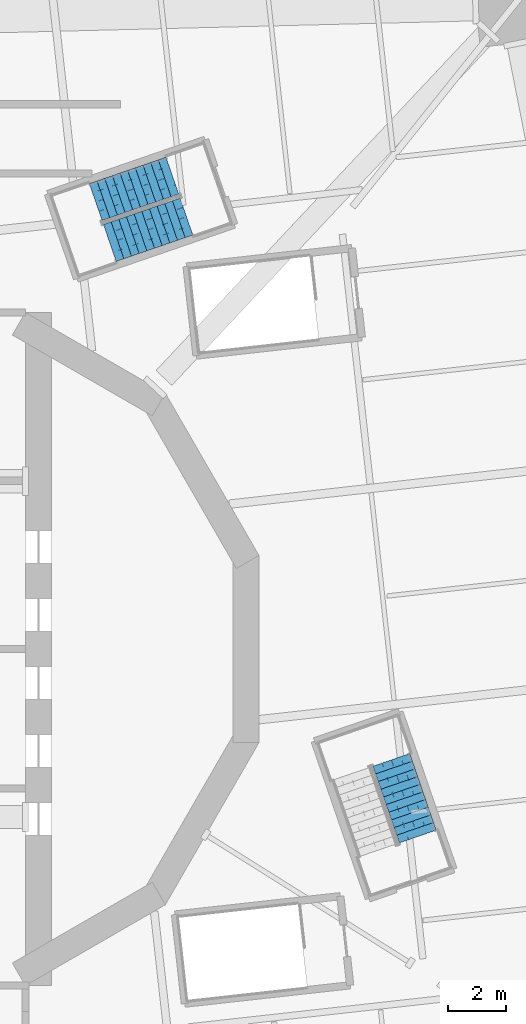
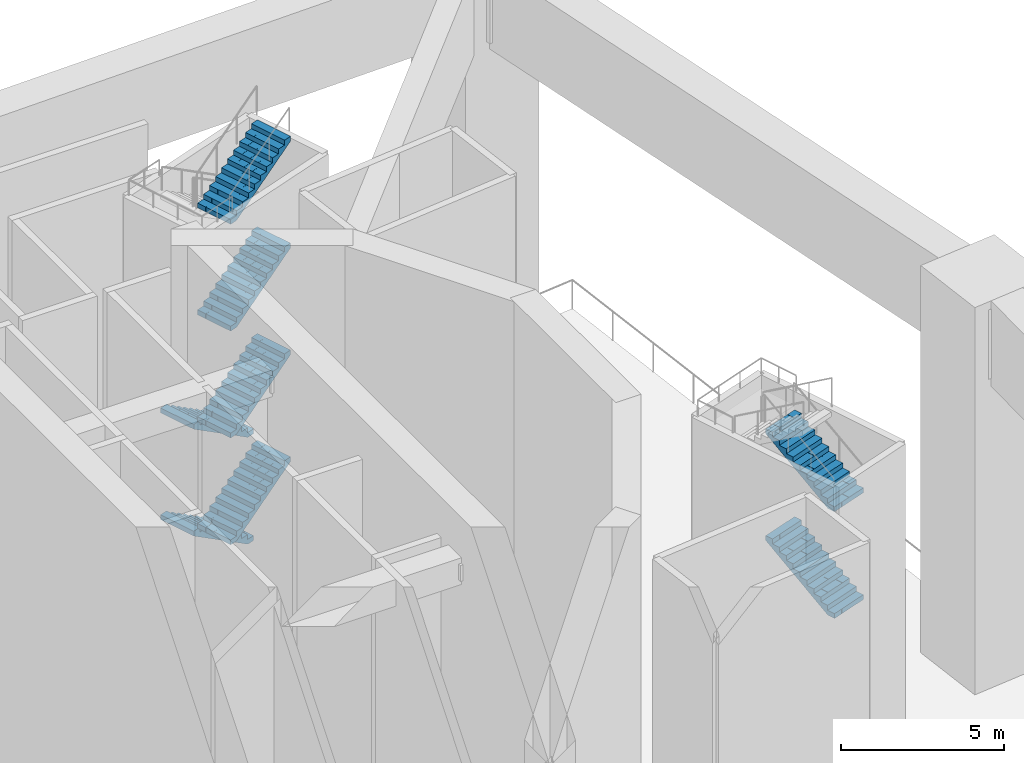
# One storey, part 7 of 13: 8 stair flights, 2 elements without a shape of their own.
"""IFC4 building model written with IfcOpenShell, lengths in metres."""

from ifc_helpers import new_model, si_unit, direction, frame, origin, place, context, subcontext, project, spatial, polyline, outline, extrude, material, type_object, element, aggregate, save


model = new_model("IFC4")

# Units and contexts
model_context = context("Model", 3, precision=1e-05, world=origin(), true_north=direction((0.0, 1.0)))
body_context = subcontext(model_context, "Body", "Model", "MODEL_VIEW")
ifc_project = project(units=[si_unit("LENGTHUNIT", "METRE"), si_unit("AREAUNIT", "SQUARE_METRE"), si_unit("VOLUMEUNIT", "CUBIC_METRE"), si_unit("PLANEANGLEUNIT", "RADIAN"), si_unit("MASSUNIT", "GRAM", prefix="KILO")], contexts=[model_context])

# Site, building, storey
site_placement = place(None, origin())
site = spatial("IfcSite", under=ifc_project, at=site_placement, CompositionType="ELEMENT")
building_placement = place(site_placement, origin())
building = spatial("IfcBuilding", under=site, at=building_placement, Name="Cantera Rosa Tower", CompositionType="ELEMENT")
storey_placement = place(building_placement, frame((0.0, 0.0, 84.300048828125)))
storey = spatial("IfcBuildingStorey", under=building, at=storey_placement, Name="L18", CompositionType="ELEMENT", Elevation=84.300048828125)

# Stair, stair flights
ifc_material_1 = material(Name="Concrete C35/45", Category="concrete")
stair_type = type_object("IfcStairType", Name="EXIT STAIR 1350 DOGLEG", PredefinedType="HALF_TURN_STAIR", material=ifc_material_1)
stair_1_placement = place(storey_placement, origin())
stair_1 = element("IfcStair", 1, at=stair_1_placement, inside=storey, type_object=stair_type, Name="L18 ST-21", PredefinedType="HALF_TURN_STAIR")
ifc_material_2 = material(Name="Concrete C35/45", Category="concrete")
stair_flight_type = type_object("IfcStairFlightType", Name="STAIR FLIGHT 1350 R88x182", PredefinedType="STRAIGHT", material=ifc_material_2)
stair_flight_1_placement = place(storey_placement, frame((9.07958984375, 16.364990234375, 0.0), z_axis=(0.0, 0.0, 1.0), x_axis=(-0.945518575599, -0.325568154457, 0.0)))
stair_flight_1 = element("IfcStairFlight", 2, at=stair_flight_1_placement, type_object=stair_flight_type, Name="ST-21 flight 1", NumberOfRisers=11, NumberOfTreads=10, PredefinedType="STRAIGHT", RiserHeight=0.181818182, TreadLength=0.28, context=body_context, shape_type="SweptSolid", body=[
    extrude(outline(polyline([(0.0, 0.0), (0.0, 0.181884765625), (0.280029296875, 0.181884765625), (0.280029296875, 0.363525390625), (0.56005859375, 0.363525390625), (0.56005859375, 0.54541015625), (0.840087890625, 0.54541015625), (0.840087890625, 0.727294921875), (1.1201171875, 0.727294921875), (1.1201171875, 0.9091796875), (1.39990234375, 0.9091796875), (1.39990234375, 1.0908203125), (1.679931640625, 1.0908203125), (1.679931640625, 1.272705078125), (1.9599609375, 1.272705078125), (1.9599609375, 1.45458984375), (2.239990234375, 1.45458984375), (2.239990234375, 1.636474609375), (2.52001953125, 1.636474609375), (2.52001953125, 1.818115234375), (2.800048828125, 1.818115234375), (2.800048828125, 2.0), (2.800048828125, 1.639404296875), (0.275146484375, 0.0), (0.0, 0.0)])), frame((0.0, 0.675048828125, 0.0), z_axis=(0.0, -1.0, 0.0), x_axis=(1.0, 0.0, 0.0)), (0.0, 0.0, 1.0), 0.3359375),
    extrude(outline(polyline([(0.0, 0.0), (0.0, 0.181884765625), (0.280029296875, 0.181884765625), (0.280029296875, 0.363525390625), (0.56005859375, 0.363525390625), (0.56005859375, 0.54541015625), (0.840087890625, 0.54541015625), (0.840087890625, 0.727294921875), (1.1201171875, 0.727294921875), (1.1201171875, 0.9091796875), (1.39990234375, 0.9091796875), (1.39990234375, 1.0908203125), (1.679931640625, 1.0908203125), (1.679931640625, 1.272705078125), (1.9599609375, 1.272705078125), (1.9599609375, 1.45458984375), (2.239990234375, 1.45458984375), (2.239990234375, 1.636474609375), (2.52001953125, 1.636474609375), (2.52001953125, 1.818115234375), (2.800048828125, 1.818115234375), (2.800048828125, 2.0), (2.800048828125, 1.639404296875), (0.275146484375, 0.0), (0.0, 0.0)])), frame((0.0, 0.337158203125, 0.0), z_axis=(0.0, -1.0, 0.0), x_axis=(1.0, 0.0, 0.0)), (0.0, 0.0, 1.0), 0.3359375),
    extrude(outline(polyline([(0.0, 0.0), (0.0, 0.181884765625), (0.280029296875, 0.181884765625), (0.280029296875, 0.363525390625), (0.56005859375, 0.363525390625), (0.56005859375, 0.54541015625), (0.840087890625, 0.54541015625), (0.840087890625, 0.727294921875), (1.1201171875, 0.727294921875), (1.1201171875, 0.9091796875), (1.39990234375, 0.9091796875), (1.39990234375, 1.0908203125), (1.679931640625, 1.0908203125), (1.679931640625, 1.272705078125), (1.9599609375, 1.272705078125), (1.9599609375, 1.45458984375), (2.239990234375, 1.45458984375), (2.239990234375, 1.636474609375), (2.52001953125, 1.636474609375), (2.52001953125, 1.818115234375), (2.800048828125, 1.818115234375), (2.800048828125, 2.0), (2.800048828125, 1.639404296875), (0.275146484375, 0.0), (0.0, 0.0)])), frame((0.0, -0.000732421875, 0.0), z_axis=(0.0, -1.0, 0.0), x_axis=(1.0, 0.0, 0.0)), (0.0, 0.0, 1.0), 0.3359375),
    extrude(outline(polyline([(0.0, 0.0), (0.0, 0.181884765625), (0.280029296875, 0.181884765625), (0.280029296875, 0.363525390625), (0.56005859375, 0.363525390625), (0.56005859375, 0.54541015625), (0.840087890625, 0.54541015625), (0.840087890625, 0.727294921875), (1.1201171875, 0.727294921875), (1.1201171875, 0.9091796875), (1.39990234375, 0.9091796875), (1.39990234375, 1.0908203125), (1.679931640625, 1.0908203125), (1.679931640625, 1.272705078125), (1.9599609375, 1.272705078125), (1.9599609375, 1.45458984375), (2.239990234375, 1.45458984375), (2.239990234375, 1.636474609375), (2.52001953125, 1.636474609375), (2.52001953125, 1.818115234375), (2.800048828125, 1.818115234375), (2.800048828125, 2.0), (2.800048828125, 1.639404296875), (0.275146484375, 0.0), (0.0, 0.0)])), frame((0.0, -0.338623046875, 0.0), z_axis=(0.0, -1.0, 0.0), x_axis=(1.0, 0.0, 0.0)), (0.0, 0.0, 1.0), 0.3359375),
])
stair_flight_2_placement = place(storey_placement, frame((6.92041015625, 14.03515625, 2.0), z_axis=(0.0, 0.0, 1.0), x_axis=(0.945518575599, 0.325568154457, 0.0)))
stair_flight_2 = element("IfcStairFlight", 3, at=stair_flight_2_placement, type_object=stair_flight_type, Name="ST-21 flight 2", NumberOfRisers=11, NumberOfTreads=10, PredefinedType="STRAIGHT", RiserHeight=0.181818182, TreadLength=0.28, context=body_context, shape_type="SweptSolid", body=[
    extrude(outline(polyline([(0.0, 0.0), (0.0, 0.181884765625), (0.280029296875, 0.181884765625), (0.280029296875, 0.363525390625), (0.56005859375, 0.363525390625), (0.56005859375, 0.54541015625), (0.840087890625, 0.54541015625), (0.840087890625, 0.727294921875), (1.1201171875, 0.727294921875), (1.1201171875, 0.9091796875), (1.39990234375, 0.9091796875), (1.39990234375, 1.0908203125), (1.679931640625, 1.0908203125), (1.679931640625, 1.272705078125), (1.9599609375, 1.272705078125), (1.9599609375, 1.45458984375), (2.239990234375, 1.45458984375), (2.239990234375, 1.636474609375), (2.52001953125, 1.636474609375), (2.52001953125, 1.818115234375), (2.800048828125, 1.818115234375), (2.800048828125, 2.0), (2.800048828125, 1.639404296875), (0.275146484375, 0.0), (0.0, 0.0)])), frame((0.0, 0.675048828125, 0.0), z_axis=(0.0, -1.0, 0.0), x_axis=(1.0, 0.0, 0.0)), (0.0, 0.0, 1.0), 0.3359375),
    extrude(outline(polyline([(0.0, 0.0), (0.0, 0.181884765625), (0.280029296875, 0.181884765625), (0.280029296875, 0.363525390625), (0.56005859375, 0.363525390625), (0.56005859375, 0.54541015625), (0.840087890625, 0.54541015625), (0.840087890625, 0.727294921875), (1.1201171875, 0.727294921875), (1.1201171875, 0.9091796875), (1.39990234375, 0.9091796875), (1.39990234375, 1.0908203125), (1.679931640625, 1.0908203125), (1.679931640625, 1.272705078125), (1.9599609375, 1.272705078125), (1.9599609375, 1.45458984375), (2.239990234375, 1.45458984375), (2.239990234375, 1.636474609375), (2.52001953125, 1.636474609375), (2.52001953125, 1.818115234375), (2.800048828125, 1.818115234375), (2.800048828125, 2.0), (2.800048828125, 1.639404296875), (0.275146484375, 0.0), (0.0, 0.0)])), frame((0.0, 0.337158203125, 0.0), z_axis=(0.0, -1.0, 0.0), x_axis=(1.0, 0.0, 0.0)), (0.0, 0.0, 1.0), 0.3359375),
    extrude(outline(polyline([(0.0, 0.0), (0.0, 0.181884765625), (0.280029296875, 0.181884765625), (0.280029296875, 0.363525390625), (0.56005859375, 0.363525390625), (0.56005859375, 0.54541015625), (0.840087890625, 0.54541015625), (0.840087890625, 0.727294921875), (1.1201171875, 0.727294921875), (1.1201171875, 0.9091796875), (1.39990234375, 0.9091796875), (1.39990234375, 1.0908203125), (1.679931640625, 1.0908203125), (1.679931640625, 1.272705078125), (1.9599609375, 1.272705078125), (1.9599609375, 1.45458984375), (2.239990234375, 1.45458984375), (2.239990234375, 1.636474609375), (2.52001953125, 1.636474609375), (2.52001953125, 1.818115234375), (2.800048828125, 1.818115234375), (2.800048828125, 2.0), (2.800048828125, 1.639404296875), (0.275146484375, 0.0), (0.0, 0.0)])), frame((0.0, -0.000732421875, 0.0), z_axis=(0.0, -1.0, 0.0), x_axis=(1.0, 0.0, 0.0)), (0.0, 0.0, 1.0), 0.3359375),
    extrude(outline(polyline([(0.0, 0.0), (0.0, 0.181884765625), (0.280029296875, 0.181884765625), (0.280029296875, 0.363525390625), (0.56005859375, 0.363525390625), (0.56005859375, 0.54541015625), (0.840087890625, 0.54541015625), (0.840087890625, 0.727294921875), (1.1201171875, 0.727294921875), (1.1201171875, 0.9091796875), (1.39990234375, 0.9091796875), (1.39990234375, 1.0908203125), (1.679931640625, 1.0908203125), (1.679931640625, 1.272705078125), (1.9599609375, 1.272705078125), (1.9599609375, 1.45458984375), (2.239990234375, 1.45458984375), (2.239990234375, 1.636474609375), (2.52001953125, 1.636474609375), (2.52001953125, 1.818115234375), (2.800048828125, 1.818115234375), (2.800048828125, 2.0), (2.800048828125, 1.639404296875), (0.275146484375, 0.0), (0.0, 0.0)])), frame((0.0, -0.338623046875, 0.0), z_axis=(0.0, -1.0, 0.0), x_axis=(1.0, 0.0, 0.0)), (0.0, 0.0, 1.0), 0.3359375),
])
stair_flight_3_placement = place(storey_placement, frame((9.07958984375, 16.364990234375, 4.0), z_axis=(0.0, 0.0, 1.0), x_axis=(-0.945518575599, -0.325568154457, 0.0)))
stair_flight_3 = element("IfcStairFlight", 4, at=stair_flight_3_placement, type_object=stair_flight_type, Name="ST-21 flight 3", NumberOfRisers=11, NumberOfTreads=10, PredefinedType="STRAIGHT", RiserHeight=0.181818182, TreadLength=0.28, context=body_context, shape_type="SweptSolid", body=[
    extrude(outline(polyline([(0.0, 0.0), (0.0, 0.181884765625), (0.280029296875, 0.181884765625), (0.280029296875, 0.363525390625), (0.56005859375, 0.363525390625), (0.56005859375, 0.54541015625), (0.840087890625, 0.54541015625), (0.840087890625, 0.727294921875), (1.1201171875, 0.727294921875), (1.1201171875, 0.9091796875), (1.39990234375, 0.9091796875), (1.39990234375, 1.0908203125), (1.679931640625, 1.0908203125), (1.679931640625, 1.272705078125), (1.9599609375, 1.272705078125), (1.9599609375, 1.45458984375), (2.239990234375, 1.45458984375), (2.239990234375, 1.636474609375), (2.52001953125, 1.636474609375), (2.52001953125, 1.818115234375), (2.800048828125, 1.818115234375), (2.800048828125, 2.0), (2.800048828125, 1.639404296875), (0.275146484375, 0.0), (0.0, 0.0)])), frame((0.0, 0.675048828125, 0.0), z_axis=(0.0, -1.0, 0.0), x_axis=(1.0, 0.0, 0.0)), (0.0, 0.0, 1.0), 0.3359375),
    extrude(outline(polyline([(0.0, 0.0), (0.0, 0.181884765625), (0.280029296875, 0.181884765625), (0.280029296875, 0.363525390625), (0.56005859375, 0.363525390625), (0.56005859375, 0.54541015625), (0.840087890625, 0.54541015625), (0.840087890625, 0.727294921875), (1.1201171875, 0.727294921875), (1.1201171875, 0.9091796875), (1.39990234375, 0.9091796875), (1.39990234375, 1.0908203125), (1.679931640625, 1.0908203125), (1.679931640625, 1.272705078125), (1.9599609375, 1.272705078125), (1.9599609375, 1.45458984375), (2.239990234375, 1.45458984375), (2.239990234375, 1.636474609375), (2.52001953125, 1.636474609375), (2.52001953125, 1.818115234375), (2.800048828125, 1.818115234375), (2.800048828125, 2.0), (2.800048828125, 1.639404296875), (0.275146484375, 0.0), (0.0, 0.0)])), frame((0.0, 0.337158203125, 0.0), z_axis=(0.0, -1.0, 0.0), x_axis=(1.0, 0.0, 0.0)), (0.0, 0.0, 1.0), 0.3359375),
    extrude(outline(polyline([(0.0, 0.0), (0.0, 0.181884765625), (0.280029296875, 0.181884765625), (0.280029296875, 0.363525390625), (0.56005859375, 0.363525390625), (0.56005859375, 0.54541015625), (0.840087890625, 0.54541015625), (0.840087890625, 0.727294921875), (1.1201171875, 0.727294921875), (1.1201171875, 0.9091796875), (1.39990234375, 0.9091796875), (1.39990234375, 1.0908203125), (1.679931640625, 1.0908203125), (1.679931640625, 1.272705078125), (1.9599609375, 1.272705078125), (1.9599609375, 1.45458984375), (2.239990234375, 1.45458984375), (2.239990234375, 1.636474609375), (2.52001953125, 1.636474609375), (2.52001953125, 1.818115234375), (2.800048828125, 1.818115234375), (2.800048828125, 2.0), (2.800048828125, 1.639404296875), (0.275146484375, 0.0), (0.0, 0.0)])), frame((0.0, -0.000732421875, 0.0), z_axis=(0.0, -1.0, 0.0), x_axis=(1.0, 0.0, 0.0)), (0.0, 0.0, 1.0), 0.3359375),
    extrude(outline(polyline([(0.0, 0.0), (0.0, 0.181884765625), (0.280029296875, 0.181884765625), (0.280029296875, 0.363525390625), (0.56005859375, 0.363525390625), (0.56005859375, 0.54541015625), (0.840087890625, 0.54541015625), (0.840087890625, 0.727294921875), (1.1201171875, 0.727294921875), (1.1201171875, 0.9091796875), (1.39990234375, 0.9091796875), (1.39990234375, 1.0908203125), (1.679931640625, 1.0908203125), (1.679931640625, 1.272705078125), (1.9599609375, 1.272705078125), (1.9599609375, 1.45458984375), (2.239990234375, 1.45458984375), (2.239990234375, 1.636474609375), (2.52001953125, 1.636474609375), (2.52001953125, 1.818115234375), (2.800048828125, 1.818115234375), (2.800048828125, 2.0), (2.800048828125, 1.639404296875), (0.275146484375, 0.0), (0.0, 0.0)])), frame((0.0, -0.338623046875, 0.0), z_axis=(0.0, -1.0, 0.0), x_axis=(1.0, 0.0, 0.0)), (0.0, 0.0, 1.0), 0.3359375),
])
stair_flight_4_placement = place(storey_placement, frame((6.92041015625, 14.03515625, 6.0), z_axis=(0.0, 0.0, 1.0), x_axis=(0.945518575599, 0.325568154457, 0.0)))
stair_flight_4 = element("IfcStairFlight", 5, at=stair_flight_4_placement, type_object=stair_flight_type, Name="ST-21 flight 4", NumberOfRisers=11, NumberOfTreads=10, PredefinedType="STRAIGHT", RiserHeight=0.181818182, TreadLength=0.28, context=body_context, shape_type="SweptSolid", body=[
    extrude(outline(polyline([(0.0, 0.0), (0.0, 0.181884765625), (0.280029296875, 0.181884765625), (0.280029296875, 0.363525390625), (0.56005859375, 0.363525390625), (0.56005859375, 0.54541015625), (0.840087890625, 0.54541015625), (0.840087890625, 0.727294921875), (1.1201171875, 0.727294921875), (1.1201171875, 0.9091796875), (1.39990234375, 0.9091796875), (1.39990234375, 1.0908203125), (1.679931640625, 1.0908203125), (1.679931640625, 1.272705078125), (1.9599609375, 1.272705078125), (1.9599609375, 1.45458984375), (2.239990234375, 1.45458984375), (2.239990234375, 1.636474609375), (2.52001953125, 1.636474609375), (2.52001953125, 1.818115234375), (2.800048828125, 1.818115234375), (2.800048828125, 2.0), (2.800048828125, 1.639404296875), (0.275146484375, 0.0), (0.0, 0.0)])), frame((0.0, 0.675048828125, 0.0), z_axis=(0.0, -1.0, 0.0), x_axis=(1.0, 0.0, 0.0)), (0.0, 0.0, 1.0), 0.3359375),
    extrude(outline(polyline([(0.0, 0.0), (0.0, 0.181884765625), (0.280029296875, 0.181884765625), (0.280029296875, 0.363525390625), (0.56005859375, 0.363525390625), (0.56005859375, 0.54541015625), (0.840087890625, 0.54541015625), (0.840087890625, 0.727294921875), (1.1201171875, 0.727294921875), (1.1201171875, 0.9091796875), (1.39990234375, 0.9091796875), (1.39990234375, 1.0908203125), (1.679931640625, 1.0908203125), (1.679931640625, 1.272705078125), (1.9599609375, 1.272705078125), (1.9599609375, 1.45458984375), (2.239990234375, 1.45458984375), (2.239990234375, 1.636474609375), (2.52001953125, 1.636474609375), (2.52001953125, 1.818115234375), (2.800048828125, 1.818115234375), (2.800048828125, 2.0), (2.800048828125, 1.639404296875), (0.275146484375, 0.0), (0.0, 0.0)])), frame((0.0, 0.337158203125, 0.0), z_axis=(0.0, -1.0, 0.0), x_axis=(1.0, 0.0, 0.0)), (0.0, 0.0, 1.0), 0.3359375),
    extrude(outline(polyline([(0.0, 0.0), (0.0, 0.181884765625), (0.280029296875, 0.181884765625), (0.280029296875, 0.363525390625), (0.56005859375, 0.363525390625), (0.56005859375, 0.54541015625), (0.840087890625, 0.54541015625), (0.840087890625, 0.727294921875), (1.1201171875, 0.727294921875), (1.1201171875, 0.9091796875), (1.39990234375, 0.9091796875), (1.39990234375, 1.0908203125), (1.679931640625, 1.0908203125), (1.679931640625, 1.272705078125), (1.9599609375, 1.272705078125), (1.9599609375, 1.45458984375), (2.239990234375, 1.45458984375), (2.239990234375, 1.636474609375), (2.52001953125, 1.636474609375), (2.52001953125, 1.818115234375), (2.800048828125, 1.818115234375), (2.800048828125, 2.0), (2.800048828125, 1.639404296875), (0.275146484375, 0.0), (0.0, 0.0)])), frame((0.0, -0.000732421875, 0.0), z_axis=(0.0, -1.0, 0.0), x_axis=(1.0, 0.0, 0.0)), (0.0, 0.0, 1.0), 0.3359375),
    extrude(outline(polyline([(0.0, 0.0), (0.0, 0.181884765625), (0.280029296875, 0.181884765625), (0.280029296875, 0.363525390625), (0.56005859375, 0.363525390625), (0.56005859375, 0.54541015625), (0.840087890625, 0.54541015625), (0.840087890625, 0.727294921875), (1.1201171875, 0.727294921875), (1.1201171875, 0.9091796875), (1.39990234375, 0.9091796875), (1.39990234375, 1.0908203125), (1.679931640625, 1.0908203125), (1.679931640625, 1.272705078125), (1.9599609375, 1.272705078125), (1.9599609375, 1.45458984375), (2.239990234375, 1.45458984375), (2.239990234375, 1.636474609375), (2.52001953125, 1.636474609375), (2.52001953125, 1.818115234375), (2.800048828125, 1.818115234375), (2.800048828125, 2.0), (2.800048828125, 1.639404296875), (0.275146484375, 0.0), (0.0, 0.0)])), frame((0.0, -0.338623046875, 0.0), z_axis=(0.0, -1.0, 0.0), x_axis=(1.0, 0.0, 0.0)), (0.0, 0.0, 1.0), 0.3359375),
])
stair_flight_5_placement = place(storey_placement, frame((6.92041015625, 14.03515625, 10.0), z_axis=(0.0, 0.0, 1.0), x_axis=(0.945518575599, 0.325568154457, 0.0)))
stair_flight_5 = element("IfcStairFlight", 6, at=stair_flight_5_placement, type_object=stair_flight_type, Name="ST-21 flight 6", NumberOfRisers=11, NumberOfTreads=10, PredefinedType="STRAIGHT", RiserHeight=0.181818182, TreadLength=0.28, context=body_context, shape_type="SweptSolid", body=[
    extrude(outline(polyline([(0.0, 0.0), (0.0, 0.181884765625), (0.280029296875, 0.181884765625), (0.280029296875, 0.363525390625), (0.56005859375, 0.363525390625), (0.56005859375, 0.54541015625), (0.840087890625, 0.54541015625), (0.840087890625, 0.727294921875), (1.1201171875, 0.727294921875), (1.1201171875, 0.9091796875), (1.39990234375, 0.9091796875), (1.39990234375, 1.0908203125), (1.679931640625, 1.0908203125), (1.679931640625, 1.272705078125), (1.9599609375, 1.272705078125), (1.9599609375, 1.45458984375), (2.239990234375, 1.45458984375), (2.239990234375, 1.636474609375), (2.52001953125, 1.636474609375), (2.52001953125, 1.818115234375), (2.800048828125, 1.818115234375), (2.800048828125, 2.0), (2.800048828125, 1.639404296875), (0.275146484375, 0.0), (0.0, 0.0)])), frame((0.0, 0.675048828125, 0.0), z_axis=(0.0, -1.0, 0.0), x_axis=(1.0, 0.0, 0.0)), (0.0, 0.0, 1.0), 0.3359375),
    extrude(outline(polyline([(0.0, 0.0), (0.0, 0.181884765625), (0.280029296875, 0.181884765625), (0.280029296875, 0.363525390625), (0.56005859375, 0.363525390625), (0.56005859375, 0.54541015625), (0.840087890625, 0.54541015625), (0.840087890625, 0.727294921875), (1.1201171875, 0.727294921875), (1.1201171875, 0.9091796875), (1.39990234375, 0.9091796875), (1.39990234375, 1.0908203125), (1.679931640625, 1.0908203125), (1.679931640625, 1.272705078125), (1.9599609375, 1.272705078125), (1.9599609375, 1.45458984375), (2.239990234375, 1.45458984375), (2.239990234375, 1.636474609375), (2.52001953125, 1.636474609375), (2.52001953125, 1.818115234375), (2.800048828125, 1.818115234375), (2.800048828125, 2.0), (2.800048828125, 1.639404296875), (0.275146484375, 0.0), (0.0, 0.0)])), frame((0.0, 0.337158203125, 0.0), z_axis=(0.0, -1.0, 0.0), x_axis=(1.0, 0.0, 0.0)), (0.0, 0.0, 1.0), 0.3359375),
    extrude(outline(polyline([(0.0, 0.0), (0.0, 0.181884765625), (0.280029296875, 0.181884765625), (0.280029296875, 0.363525390625), (0.56005859375, 0.363525390625), (0.56005859375, 0.54541015625), (0.840087890625, 0.54541015625), (0.840087890625, 0.727294921875), (1.1201171875, 0.727294921875), (1.1201171875, 0.9091796875), (1.39990234375, 0.9091796875), (1.39990234375, 1.0908203125), (1.679931640625, 1.0908203125), (1.679931640625, 1.272705078125), (1.9599609375, 1.272705078125), (1.9599609375, 1.45458984375), (2.239990234375, 1.45458984375), (2.239990234375, 1.636474609375), (2.52001953125, 1.636474609375), (2.52001953125, 1.818115234375), (2.800048828125, 1.818115234375), (2.800048828125, 2.0), (2.800048828125, 1.639404296875), (0.275146484375, 0.0), (0.0, 0.0)])), frame((0.0, -0.000732421875, 0.0), z_axis=(0.0, -1.0, 0.0), x_axis=(1.0, 0.0, 0.0)), (0.0, 0.0, 1.0), 0.3359375),
    extrude(outline(polyline([(0.0, 0.0), (0.0, 0.181884765625), (0.280029296875, 0.181884765625), (0.280029296875, 0.363525390625), (0.56005859375, 0.363525390625), (0.56005859375, 0.54541015625), (0.840087890625, 0.54541015625), (0.840087890625, 0.727294921875), (1.1201171875, 0.727294921875), (1.1201171875, 0.9091796875), (1.39990234375, 0.9091796875), (1.39990234375, 1.0908203125), (1.679931640625, 1.0908203125), (1.679931640625, 1.272705078125), (1.9599609375, 1.272705078125), (1.9599609375, 1.45458984375), (2.239990234375, 1.45458984375), (2.239990234375, 1.636474609375), (2.52001953125, 1.636474609375), (2.52001953125, 1.818115234375), (2.800048828125, 1.818115234375), (2.800048828125, 2.0), (2.800048828125, 1.639404296875), (0.275146484375, 0.0), (0.0, 0.0)])), frame((0.0, -0.338623046875, 0.0), z_axis=(0.0, -1.0, 0.0), x_axis=(1.0, 0.0, 0.0)), (0.0, 0.0, 1.0), 0.3359375),
])
stair_flight_6_placement = place(storey_placement, frame((6.92041015625, 14.03515625, 14.0), z_axis=(0.0, 0.0, 1.0), x_axis=(0.945518575599, 0.325568154457, 0.0)))
stair_flight_6 = element("IfcStairFlight", 7, at=stair_flight_6_placement, type_object=stair_flight_type, Name="ST-21 flight 8", NumberOfRisers=11, NumberOfTreads=10, PredefinedType="STRAIGHT", RiserHeight=0.181818182, TreadLength=0.28, context=body_context, shape_type="SweptSolid", body=[
    extrude(outline(polyline([(0.0, 0.0), (0.0, 0.181884765625), (0.280029296875, 0.181884765625), (0.280029296875, 0.363525390625), (0.56005859375, 0.363525390625), (0.56005859375, 0.54541015625), (0.840087890625, 0.54541015625), (0.840087890625, 0.727294921875), (1.1201171875, 0.727294921875), (1.1201171875, 0.9091796875), (1.39990234375, 0.9091796875), (1.39990234375, 1.0908203125), (1.679931640625, 1.0908203125), (1.679931640625, 1.272705078125), (1.9599609375, 1.272705078125), (1.9599609375, 1.45458984375), (2.239990234375, 1.45458984375), (2.239990234375, 1.636474609375), (2.52001953125, 1.636474609375), (2.52001953125, 1.818115234375), (2.800048828125, 1.818115234375), (2.800048828125, 2.0), (2.800048828125, 1.639404296875), (0.275146484375, 0.0), (0.0, 0.0)])), frame((0.0, 0.675048828125, 0.0), z_axis=(0.0, -1.0, 0.0), x_axis=(1.0, 0.0, 0.0)), (0.0, 0.0, 1.0), 0.3359375),
    extrude(outline(polyline([(0.0, 0.0), (0.0, 0.181884765625), (0.280029296875, 0.181884765625), (0.280029296875, 0.363525390625), (0.56005859375, 0.363525390625), (0.56005859375, 0.54541015625), (0.840087890625, 0.54541015625), (0.840087890625, 0.727294921875), (1.1201171875, 0.727294921875), (1.1201171875, 0.9091796875), (1.39990234375, 0.9091796875), (1.39990234375, 1.0908203125), (1.679931640625, 1.0908203125), (1.679931640625, 1.272705078125), (1.9599609375, 1.272705078125), (1.9599609375, 1.45458984375), (2.239990234375, 1.45458984375), (2.239990234375, 1.636474609375), (2.52001953125, 1.636474609375), (2.52001953125, 1.818115234375), (2.800048828125, 1.818115234375), (2.800048828125, 2.0), (2.800048828125, 1.639404296875), (0.275146484375, 0.0), (0.0, 0.0)])), frame((0.0, 0.337158203125, 0.0), z_axis=(0.0, -1.0, 0.0), x_axis=(1.0, 0.0, 0.0)), (0.0, 0.0, 1.0), 0.3359375),
    extrude(outline(polyline([(0.0, 0.0), (0.0, 0.181884765625), (0.280029296875, 0.181884765625), (0.280029296875, 0.363525390625), (0.56005859375, 0.363525390625), (0.56005859375, 0.54541015625), (0.840087890625, 0.54541015625), (0.840087890625, 0.727294921875), (1.1201171875, 0.727294921875), (1.1201171875, 0.9091796875), (1.39990234375, 0.9091796875), (1.39990234375, 1.0908203125), (1.679931640625, 1.0908203125), (1.679931640625, 1.272705078125), (1.9599609375, 1.272705078125), (1.9599609375, 1.45458984375), (2.239990234375, 1.45458984375), (2.239990234375, 1.636474609375), (2.52001953125, 1.636474609375), (2.52001953125, 1.818115234375), (2.800048828125, 1.818115234375), (2.800048828125, 2.0), (2.800048828125, 1.639404296875), (0.275146484375, 0.0), (0.0, 0.0)])), frame((0.0, -0.000732421875, 0.0), z_axis=(0.0, -1.0, 0.0), x_axis=(1.0, 0.0, 0.0)), (0.0, 0.0, 1.0), 0.3359375),
    extrude(outline(polyline([(0.0, 0.0), (0.0, 0.181884765625), (0.280029296875, 0.181884765625), (0.280029296875, 0.363525390625), (0.56005859375, 0.363525390625), (0.56005859375, 0.54541015625), (0.840087890625, 0.54541015625), (0.840087890625, 0.727294921875), (1.1201171875, 0.727294921875), (1.1201171875, 0.9091796875), (1.39990234375, 0.9091796875), (1.39990234375, 1.0908203125), (1.679931640625, 1.0908203125), (1.679931640625, 1.272705078125), (1.9599609375, 1.272705078125), (1.9599609375, 1.45458984375), (2.239990234375, 1.45458984375), (2.239990234375, 1.636474609375), (2.52001953125, 1.636474609375), (2.52001953125, 1.818115234375), (2.800048828125, 1.818115234375), (2.800048828125, 2.0), (2.800048828125, 1.639404296875), (0.275146484375, 0.0), (0.0, 0.0)])), frame((0.0, -0.338623046875, 0.0), z_axis=(0.0, -1.0, 0.0), x_axis=(1.0, 0.0, 0.0)), (0.0, 0.0, 1.0), 0.3359375),
])
aggregate(stair_1, [stair_flight_1, stair_flight_2, stair_flight_3, stair_flight_4, stair_flight_5, stair_flight_6])

stair_2_placement = place(storey_placement, origin())
stair_2 = element("IfcStair", 8, at=stair_2_placement, inside=storey, type_object=stair_type, Name="L18 ST-23", PredefinedType="HALF_TURN_STAIR")
stair_flight_7_placement = place(storey_placement, frame((17.56494140625, -6.4794921875, 8.0), z_axis=(0.0, 0.0, 1.0), x_axis=(-0.325568154457, 0.945518575599, 0.0)))
stair_flight_7 = element("IfcStairFlight", 9, at=stair_flight_7_placement, type_object=stair_flight_type, Name="ST-23 flight 5", NumberOfRisers=11, NumberOfTreads=10, PredefinedType="STRAIGHT", RiserHeight=0.181818182, TreadLength=0.28, context=body_context, shape_type="SweptSolid", body=[
    extrude(outline(polyline([(0.0, 0.0), (0.0, 0.181884765625), (0.280029296875, 0.181884765625), (0.280029296875, 0.363525390625), (0.56005859375, 0.363525390625), (0.56005859375, 0.54541015625), (0.840087890625, 0.54541015625), (0.840087890625, 0.727294921875), (1.1201171875, 0.727294921875), (1.1201171875, 0.9091796875), (1.39990234375, 0.9091796875), (1.39990234375, 1.0908203125), (1.679931640625, 1.0908203125), (1.679931640625, 1.272705078125), (1.9599609375, 1.272705078125), (1.9599609375, 1.45458984375), (2.239990234375, 1.45458984375), (2.239990234375, 1.636474609375), (2.52001953125, 1.636474609375), (2.52001953125, 1.818115234375), (2.800048828125, 1.818115234375), (2.800048828125, 2.0), (2.800048828125, 1.639404296875), (0.275146484375, 0.0), (0.0, 0.0)])), frame((0.0, 0.675048828125, 0.0), z_axis=(0.0, -1.0, 0.0), x_axis=(1.0, 0.0, 0.0)), (0.0, 0.0, 1.0), 0.3359375),
    extrude(outline(polyline([(0.0, 0.0), (0.0, 0.181884765625), (0.280029296875, 0.181884765625), (0.280029296875, 0.363525390625), (0.56005859375, 0.363525390625), (0.56005859375, 0.54541015625), (0.840087890625, 0.54541015625), (0.840087890625, 0.727294921875), (1.1201171875, 0.727294921875), (1.1201171875, 0.9091796875), (1.39990234375, 0.9091796875), (1.39990234375, 1.0908203125), (1.679931640625, 1.0908203125), (1.679931640625, 1.272705078125), (1.9599609375, 1.272705078125), (1.9599609375, 1.45458984375), (2.239990234375, 1.45458984375), (2.239990234375, 1.636474609375), (2.52001953125, 1.636474609375), (2.52001953125, 1.818115234375), (2.800048828125, 1.818115234375), (2.800048828125, 2.0), (2.800048828125, 1.639404296875), (0.275146484375, 0.0), (0.0, 0.0)])), frame((0.0, 0.337158203125, 0.0), z_axis=(0.0, -1.0, 0.0), x_axis=(1.0, 0.0, 0.0)), (0.0, 0.0, 1.0), 0.3359375),
    extrude(outline(polyline([(0.0, 0.0), (0.0, 0.181884765625), (0.280029296875, 0.181884765625), (0.280029296875, 0.363525390625), (0.56005859375, 0.363525390625), (0.56005859375, 0.54541015625), (0.840087890625, 0.54541015625), (0.840087890625, 0.727294921875), (1.1201171875, 0.727294921875), (1.1201171875, 0.9091796875), (1.39990234375, 0.9091796875), (1.39990234375, 1.0908203125), (1.679931640625, 1.0908203125), (1.679931640625, 1.272705078125), (1.9599609375, 1.272705078125), (1.9599609375, 1.45458984375), (2.239990234375, 1.45458984375), (2.239990234375, 1.636474609375), (2.52001953125, 1.636474609375), (2.52001953125, 1.818115234375), (2.800048828125, 1.818115234375), (2.800048828125, 2.0), (2.800048828125, 1.639404296875), (0.275146484375, 0.0), (0.0, 0.0)])), frame((0.0, -0.000732421875, 0.0), z_axis=(0.0, -1.0, 0.0), x_axis=(1.0, 0.0, 0.0)), (0.0, 0.0, 1.0), 0.3359375),
    extrude(outline(polyline([(0.0, 0.0), (0.0, 0.181884765625), (0.280029296875, 0.181884765625), (0.280029296875, 0.363525390625), (0.56005859375, 0.363525390625), (0.56005859375, 0.54541015625), (0.840087890625, 0.54541015625), (0.840087890625, 0.727294921875), (1.1201171875, 0.727294921875), (1.1201171875, 0.9091796875), (1.39990234375, 0.9091796875), (1.39990234375, 1.0908203125), (1.679931640625, 1.0908203125), (1.679931640625, 1.272705078125), (1.9599609375, 1.272705078125), (1.9599609375, 1.45458984375), (2.239990234375, 1.45458984375), (2.239990234375, 1.636474609375), (2.52001953125, 1.636474609375), (2.52001953125, 1.818115234375), (2.800048828125, 1.818115234375), (2.800048828125, 2.0), (2.800048828125, 1.639404296875), (0.275146484375, 0.0), (0.0, 0.0)])), frame((0.0, -0.338623046875, 0.0), z_axis=(0.0, -1.0, 0.0), x_axis=(1.0, 0.0, 0.0)), (0.0, 0.0, 1.0), 0.3359375),
])
stair_flight_8_placement = place(storey_placement, frame((17.56494140625, -6.4794921875, 12.0), z_axis=(0.0, 0.0, 1.0), x_axis=(-0.325568154457, 0.945518575599, 0.0)))
stair_flight_8 = element("IfcStairFlight", 10, at=stair_flight_8_placement, type_object=stair_flight_type, Name="ST-23 flight 7", NumberOfRisers=11, NumberOfTreads=10, PredefinedType="STRAIGHT", RiserHeight=0.181818182, TreadLength=0.28, context=body_context, shape_type="SweptSolid", body=[
    extrude(outline(polyline([(0.0, 0.0), (0.0, 0.181884765625), (0.280029296875, 0.181884765625), (0.280029296875, 0.363525390625), (0.56005859375, 0.363525390625), (0.56005859375, 0.54541015625), (0.840087890625, 0.54541015625), (0.840087890625, 0.727294921875), (1.1201171875, 0.727294921875), (1.1201171875, 0.9091796875), (1.39990234375, 0.9091796875), (1.39990234375, 1.0908203125), (1.679931640625, 1.0908203125), (1.679931640625, 1.272705078125), (1.9599609375, 1.272705078125), (1.9599609375, 1.45458984375), (2.239990234375, 1.45458984375), (2.239990234375, 1.636474609375), (2.52001953125, 1.636474609375), (2.52001953125, 1.818115234375), (2.800048828125, 1.818115234375), (2.800048828125, 2.0), (2.800048828125, 1.639404296875), (0.275146484375, 0.0), (0.0, 0.0)])), frame((0.0, 0.675048828125, 0.0), z_axis=(0.0, -1.0, 0.0), x_axis=(1.0, 0.0, 0.0)), (0.0, 0.0, 1.0), 0.3359375),
    extrude(outline(polyline([(0.0, 0.0), (0.0, 0.181884765625), (0.280029296875, 0.181884765625), (0.280029296875, 0.363525390625), (0.56005859375, 0.363525390625), (0.56005859375, 0.54541015625), (0.840087890625, 0.54541015625), (0.840087890625, 0.727294921875), (1.1201171875, 0.727294921875), (1.1201171875, 0.9091796875), (1.39990234375, 0.9091796875), (1.39990234375, 1.0908203125), (1.679931640625, 1.0908203125), (1.679931640625, 1.272705078125), (1.9599609375, 1.272705078125), (1.9599609375, 1.45458984375), (2.239990234375, 1.45458984375), (2.239990234375, 1.636474609375), (2.52001953125, 1.636474609375), (2.52001953125, 1.818115234375), (2.800048828125, 1.818115234375), (2.800048828125, 2.0), (2.800048828125, 1.639404296875), (0.275146484375, 0.0), (0.0, 0.0)])), frame((0.0, 0.337158203125, 0.0), z_axis=(0.0, -1.0, 0.0), x_axis=(1.0, 0.0, 0.0)), (0.0, 0.0, 1.0), 0.3359375),
    extrude(outline(polyline([(0.0, 0.0), (0.0, 0.181884765625), (0.280029296875, 0.181884765625), (0.280029296875, 0.363525390625), (0.56005859375, 0.363525390625), (0.56005859375, 0.54541015625), (0.840087890625, 0.54541015625), (0.840087890625, 0.727294921875), (1.1201171875, 0.727294921875), (1.1201171875, 0.9091796875), (1.39990234375, 0.9091796875), (1.39990234375, 1.0908203125), (1.679931640625, 1.0908203125), (1.679931640625, 1.272705078125), (1.9599609375, 1.272705078125), (1.9599609375, 1.45458984375), (2.239990234375, 1.45458984375), (2.239990234375, 1.636474609375), (2.52001953125, 1.636474609375), (2.52001953125, 1.818115234375), (2.800048828125, 1.818115234375), (2.800048828125, 2.0), (2.800048828125, 1.639404296875), (0.275146484375, 0.0), (0.0, 0.0)])), frame((0.0, -0.000732421875, 0.0), z_axis=(0.0, -1.0, 0.0), x_axis=(1.0, 0.0, 0.0)), (0.0, 0.0, 1.0), 0.3359375),
    extrude(outline(polyline([(0.0, 0.0), (0.0, 0.181884765625), (0.280029296875, 0.181884765625), (0.280029296875, 0.363525390625), (0.56005859375, 0.363525390625), (0.56005859375, 0.54541015625), (0.840087890625, 0.54541015625), (0.840087890625, 0.727294921875), (1.1201171875, 0.727294921875), (1.1201171875, 0.9091796875), (1.39990234375, 0.9091796875), (1.39990234375, 1.0908203125), (1.679931640625, 1.0908203125), (1.679931640625, 1.272705078125), (1.9599609375, 1.272705078125), (1.9599609375, 1.45458984375), (2.239990234375, 1.45458984375), (2.239990234375, 1.636474609375), (2.52001953125, 1.636474609375), (2.52001953125, 1.818115234375), (2.800048828125, 1.818115234375), (2.800048828125, 2.0), (2.800048828125, 1.639404296875), (0.275146484375, 0.0), (0.0, 0.0)])), frame((0.0, -0.338623046875, 0.0), z_axis=(0.0, -1.0, 0.0), x_axis=(1.0, 0.0, 0.0)), (0.0, 0.0, 1.0), 0.3359375),
])
aggregate(stair_2, [stair_flight_7, stair_flight_8])

save(model, "model.ifc")
